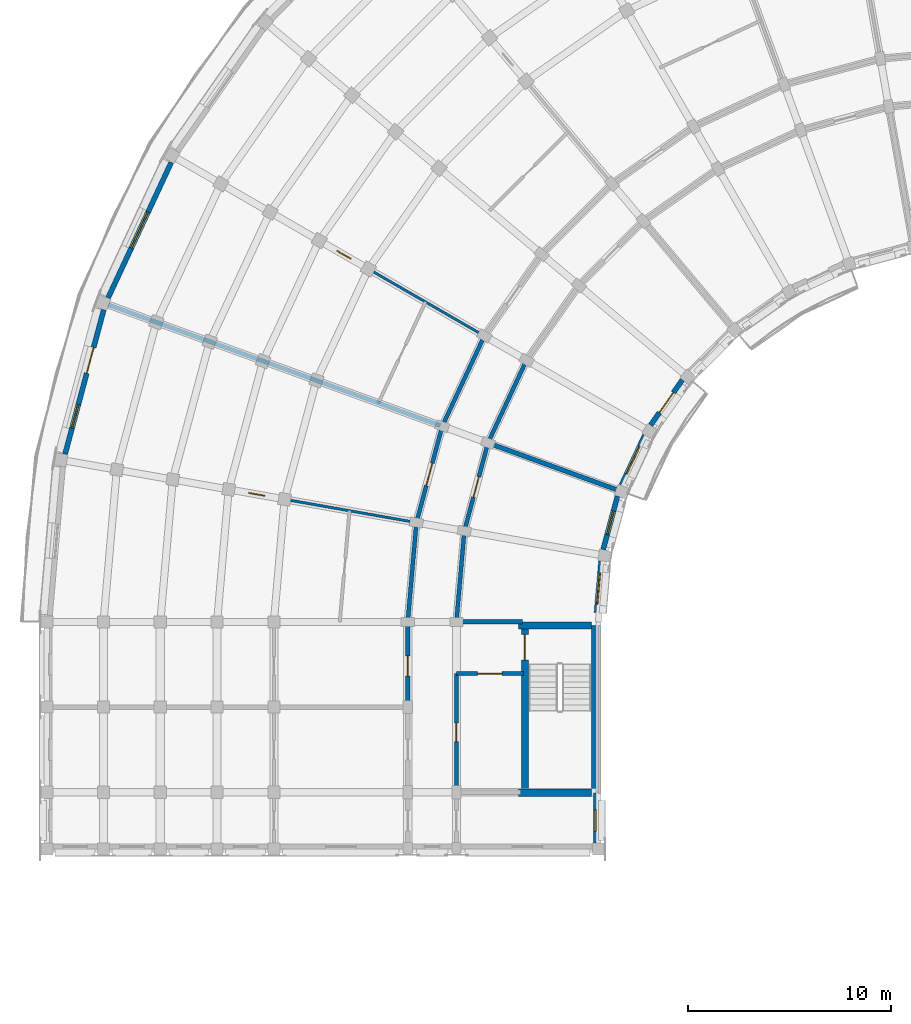
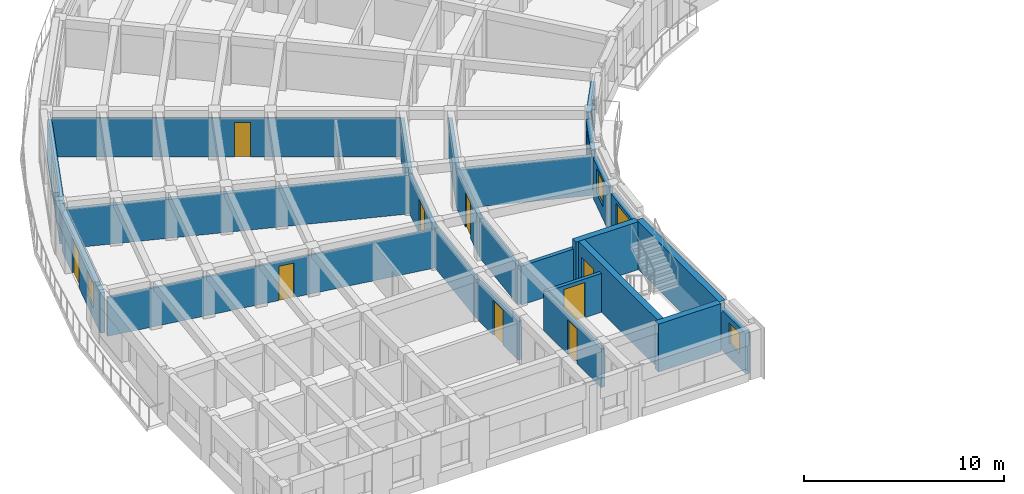
# One storey, part 16 of 41: 25 walls, 10 doors, 6 windows, 16 openings.
"""IFC4 building model written with IfcOpenShell, lengths in metres."""

from ifc_helpers import new_model, si_unit, direction, frame, frame_2d, origin, place, context, subcontext, project, spatial, rectangle, extrude, material, layer, layer_set, type_object, element, fill, save


model = new_model("IFC4")

# Units and contexts
model_context = context("Model", 3, precision=1e-05, world=origin(), true_north=direction((0.0, 1.0)))
body_context = subcontext(model_context, "Body", "Model", "MODEL_VIEW")
ifc_project = project(units=[si_unit("LENGTHUNIT", "METRE"), si_unit("AREAUNIT", "SQUARE_METRE"), si_unit("VOLUMEUNIT", "CUBIC_METRE"), si_unit("PLANEANGLEUNIT", "RADIAN"), si_unit("MASSUNIT", "GRAM", prefix="KILO")], contexts=[model_context])

# Site, building, storey
site_placement = place(None, origin())
site = spatial("IfcSite", under=ifc_project, at=site_placement, CompositionType="ELEMENT")
building_placement = place(site_placement, origin())
building = spatial("IfcBuilding", under=site, at=building_placement, Name="Kiranvali Square Residences", CompositionType="ELEMENT")
storey_placement = place(building_placement, frame((0.0, 0.0, 33.89990234375)))
storey = spatial("IfcBuildingStorey", under=building, at=storey_placement, Name="L10", CompositionType="ELEMENT", Elevation=33.89990234375)

# Wall, opening, door
ifc_material_1 = material(Name="Autoclaved aerated concrete blockwork masonry", Category="masonry")
ifc_layer_1 = layer(ifc_material_1, 0.199951171875)
ifc_layer_set_1 = layer_set([ifc_layer_1], Name="Autoclaved aerated concrete blockwork masonry")
wall_type_1 = type_object("IfcWallType", Name="WL-COR-200", PredefinedType="STANDARD", material=ifc_layer_set_1)
wall_1_placement = place(storey_placement, frame((25.699951171875, 85.25, 0.0), z_axis=(0.0, 0.0, 1.0), x_axis=(-1.0, 0.0, 0.0)))
wall_1 = element("IfcWall", 1, at=wall_1_placement, inside=storey, type_object=wall_type_1, Name="L10 architectural wall WL-L10-A-S3-V", PredefinedType="STANDARD", context=body_context, shape_type="SweptSolid", body=[
    extrude(rectangle(XDim=3.300048828125, YDim=0.199951171875, at=frame_2d((1.64990234375, 0.0))), origin(), (0.0, 0.0, 1.0), 2.3720703125),
])
opening_1_placement = place(wall_1_placement, frame((1.0400390625, 0.0, 0.0)))
opening_1 = element("IfcOpeningElement", 2, at=opening_1_placement, cuts=wall_1, Name="Opening FD-COR-60", PredefinedType="OPENING", context=body_context, shape_type="SweptSolid", body=[
    extrude(rectangle(XDim=1.219970703125, YDim=2.14990234375, at=frame_2d((0.60986328125, 1.074951171875))), frame((0.0, 0.10986328125, 0.0), z_axis=(0.0, -1.0, 0.0), x_axis=(1.0, 0.0, 0.0)), (0.0, 0.0, 1.0), 0.219970703125),
])
ifc_material_2 = material(Name="Fire-rated acoustic hardwood and mineral-core door assembly", Category="wood")
door_type_1 = type_object("IfcDoorType", Name="DR-FD60-1200", OperationType="NOTDEFINED", PredefinedType="DOOR", material=ifc_material_2)
door_1_placement = place(opening_1_placement, origin())
door_1 = element("IfcDoor", 3, at=door_1_placement, inside=storey, type_object=door_type_1, Name="L10 door DR-L10-0635 (DR-FD60-1200)", OperationType="SINGLE_SWING_LEFT", OverallHeight=2.14990234375, OverallWidth=1.219970703125, PredefinedType="DOOR", context=body_context, shape_type="SweptSolid", body=[
    extrude(rectangle(XDim=1.219970703125, YDim=2.14990234375, at=frame_2d((0.60986328125, 1.074951171875))), frame((0.0, 0.02490234375, 0.0), z_axis=(0.0, -1.0, 0.0), x_axis=(1.0, 0.0, 0.0)), (0.0, 0.0, 1.0), 0.050048828125),
])
fill(opening_1, door_1)

wall_2_placement = place(storey_placement, frame((22.39990234375, 85.25, 0.0), z_axis=(0.0, 0.0, 1.0), x_axis=(0.0, -1.0, 0.0)))
wall_2 = element("IfcWall", 4, at=wall_2_placement, inside=storey, type_object=wall_type_1, Name="L10 architectural wall WL-L10-A-S3-COR", PredefinedType="STANDARD", context=body_context, shape_type="SweptSolid", body=[
    extrude(rectangle(XDim=5.800048828125, YDim=0.199951171875, at=frame_2d((2.89990234375, 0.0))), origin(), (0.0, 0.0, 1.0), 2.3720703125),
])
opening_2_placement = place(wall_2_placement, frame((2.43994140625, 0.0, 0.0)))
opening_2 = element("IfcOpeningElement", 5, at=opening_2_placement, cuts=wall_2, Name="Opening FD-SVC-120", PredefinedType="OPENING", context=body_context, shape_type="SweptSolid", body=[
    extrude(rectangle(XDim=0.919921875, YDim=2.10009765625, at=frame_2d((0.4599609375, 1.050048828125))), frame((0.0, 0.10986328125, 0.0), z_axis=(0.0, -1.0, 0.0), x_axis=(1.0, 0.0, 0.0)), (0.0, 0.0, 1.0), 0.219970703125),
])
door_type_2 = type_object("IfcDoorType", Name="DR-SVC-900", OperationType="NOTDEFINED", PredefinedType="DOOR", material=ifc_material_2)
door_2_placement = place(opening_2_placement, frame((0.919921875, 0.0, 0.0), z_axis=(0.0, 0.0, 1.0), x_axis=(-1.0, 0.0, 0.0)))
door_2 = element("IfcDoor", 6, at=door_2_placement, inside=storey, type_object=door_type_2, Name="L10 door DR-L10-0636 (DR-SVC-900)", OperationType="SINGLE_SWING_RIGHT", OverallHeight=2.10009765625, OverallWidth=0.919921875, PredefinedType="DOOR", context=body_context, shape_type="SweptSolid", body=[
    extrude(rectangle(XDim=0.919921875, YDim=2.10009765625, at=frame_2d((0.4599609375, 1.050048828125))), frame((0.0, 0.02490234375, 0.0), z_axis=(0.0, -1.0, 0.0), x_axis=(1.0, 0.0, 0.0)), (0.0, 0.0, 1.0), 0.050048828125),
])
fill(opening_2, door_2)

# Walls
wall_3_placement = place(storey_placement, frame((25.8564453125, 100.699951171875, 0.0), z_axis=(0.0, 0.0, 1.0), x_axis=(-0.422617978463, -0.906307919131, 0.0)))
element("IfcWall", 7, at=wall_3_placement, inside=storey, type_object=wall_type_1, Name="L10 architectural wall WL-L10-A-CCI-6", PredefinedType="STANDARD", context=body_context, shape_type="SweptSolid", body=[
    extrude(rectangle(XDim=4.497314453125, YDim=0.199951171875, at=frame_2d((2.24853515625, 0.0))), origin(), (0.0, 0.0, 1.0), 2.3720703125),
])
wall_4_placement = place(storey_placement, frame((23.778076171875, 101.89990234375, 0.0), z_axis=(0.0, 0.0, 1.0), x_axis=(-0.422629854778, -0.906302381024, 0.0)))
element("IfcWall", 8, at=wall_4_placement, inside=storey, type_object=wall_type_1, Name="L10 architectural wall WL-L10-A-CCO-6", PredefinedType="STANDARD", context=body_context, shape_type="SweptSolid", body=[
    extrude(rectangle(XDim=4.915283203125, YDim=0.199951171875, at=frame_2d((2.45751953125, 0.0))), origin(), (0.0, 0.0, 1.0), 2.3720703125),
])

# Wall, opening, door
wall_5_placement = place(storey_placement, frame((23.955810546875, 96.6240234375, 0.0), z_axis=(0.0, 0.0, 1.0), x_axis=(-0.258787642463, -0.965934240054, 0.0)))
wall_5 = element("IfcWall", 9, at=wall_5_placement, inside=storey, type_object=wall_type_1, Name="L10 architectural wall WL-L10-A-CCI-7", PredefinedType="STANDARD", context=body_context, shape_type="SweptSolid", body=[
    extrude(rectangle(XDim=4.497314453125, YDim=0.199951171875, at=frame_2d((2.24853515625, 0.0))), origin(), (0.0, 0.0, 1.0), 2.3720703125),
])
opening_3_placement = place(wall_5_placement, frame((1.728515625, 0.0, 0.0)))
opening_3 = element("IfcOpeningElement", 10, at=opening_3_placement, cuts=wall_5, Name="Opening FD-APT-60B", PredefinedType="OPENING", context=body_context, shape_type="SweptSolid", body=[
    extrude(rectangle(XDim=1.0400390625, YDim=2.14990234375, at=frame_2d((0.52001953125, 1.074951171875))), frame((0.0, 0.10986328125, 0.0), z_axis=(0.0, -1.0, 0.0), x_axis=(1.0, 0.0, 0.0)), (0.0, 0.0, 1.0), 0.219970703125),
])
door_type_3 = type_object("IfcDoorType", Name="DR-APT-1040", OperationType="NOTDEFINED", PredefinedType="DOOR", material=ifc_material_2)
door_3_placement = place(opening_3_placement, frame((1.0400390625, 0.0, 0.0), z_axis=(0.0, 0.0, 1.0), x_axis=(-1.0, 0.0, 0.0)))
door_3 = element("IfcDoor", 11, at=door_3_placement, inside=storey, type_object=door_type_3, Name="L10 door DR-L10-0670 (DR-APT-1040)", OperationType="SINGLE_SWING_RIGHT", OverallHeight=2.14990234375, OverallWidth=1.0400390625, PredefinedType="DOOR", context=body_context, shape_type="SweptSolid", body=[
    extrude(rectangle(XDim=1.0400390625, YDim=2.14990234375, at=frame_2d((0.52001953125, 1.074951171875))), frame((0.0, 0.02490234375, 0.0), z_axis=(0.0, -1.0, 0.0), x_axis=(1.0, 0.0, 0.0)), (0.0, 0.0, 1.0), 0.050048828125),
])
fill(opening_3, door_3)

wall_6_placement = place(storey_placement, frame((21.70068359375, 97.445068359375, 0.0), z_axis=(0.0, 0.0, 1.0), x_axis=(-0.258803112091, -0.965930095386, 0.0)))
wall_6 = element("IfcWall", 12, at=wall_6_placement, inside=storey, type_object=wall_type_1, Name="L10 architectural wall WL-L10-A-CCO-7", PredefinedType="STANDARD", context=body_context, shape_type="SweptSolid", body=[
    extrude(rectangle(XDim=4.915771484375, YDim=0.199951171875, at=frame_2d((2.4580078125, 0.0))), origin(), (0.0, 0.0, 1.0), 2.3720703125),
])
opening_4_placement = place(wall_6_placement, frame((1.8876953125, 0.0, 0.0)))
opening_4 = element("IfcOpeningElement", 13, at=opening_4_placement, cuts=wall_6, Name="Opening FD-APT-60D", PredefinedType="OPENING", context=body_context, shape_type="SweptSolid", body=[
    extrude(rectangle(XDim=1.139892578125, YDim=2.14990234375, at=frame_2d((0.56982421875, 1.074951171875))), frame((0.0, 0.10986328125, 0.0), z_axis=(0.0, -1.0, 0.0), x_axis=(1.0, 0.0, 0.0)), (0.0, 0.0, 1.0), 0.219970703125),
])
door_type_4 = type_object("IfcDoorType", Name="DR-APT-1140", OperationType="NOTDEFINED", PredefinedType="DOOR", material=ifc_material_2)
door_4_placement = place(opening_4_placement, origin())
door_4 = element("IfcDoor", 14, at=door_4_placement, inside=storey, type_object=door_type_4, Name="L10 door DR-L10-0665 (DR-APT-1140)", OperationType="SINGLE_SWING_LEFT", OverallHeight=2.14990234375, OverallWidth=1.139892578125, PredefinedType="DOOR", context=body_context, shape_type="SweptSolid", body=[
    extrude(rectangle(XDim=1.139892578125, YDim=2.14990234375, at=frame_2d((0.56982421875, 1.074951171875))), frame((0.0, 0.02490234375, 0.0), z_axis=(0.0, -1.0, 0.0), x_axis=(1.0, 0.0, 0.0)), (0.0, 0.0, 1.0), 0.050048828125),
])
fill(opening_4, door_4)

# Walls
wall_7_placement = place(storey_placement, frame((22.7919921875, 92.280029296875, 0.0), z_axis=(0.0, 0.0, 1.0), x_axis=(-0.087187153726, -0.996191949488, 0.0)))
element("IfcWall", 15, at=wall_7_placement, inside=storey, type_object=wall_type_1, Name="L10 architectural wall WL-L10-A-CCI-8", PredefinedType="STANDARD", context=body_context, shape_type="SweptSolid", body=[
    extrude(rectangle(XDim=4.4970703125, YDim=0.199951171875, at=frame_2d((2.24853515625, 0.0))), origin(), (0.0, 0.0, 1.0), 2.3720703125),
])
wall_8_placement = place(storey_placement, frame((20.428466796875, 92.69677734375, 0.0), z_axis=(0.0, 0.0, 1.0), x_axis=(-0.087167566415, -0.996193663584, 0.0)))
element("IfcWall", 16, at=wall_8_placement, inside=storey, type_object=wall_type_1, Name="L10 architectural wall WL-L10-A-CCO-8", PredefinedType="STANDARD", context=body_context, shape_type="SweptSolid", body=[
    extrude(rectangle(XDim=4.91552734375, YDim=0.199951171875, at=frame_2d((2.457763671875, 0.0))), origin(), (0.0, 0.0, 1.0), 2.3720703125),
])

# Wall, opening, door
wall_9_placement = place(storey_placement, frame((20.0, 87.64990234375, 0.0), z_axis=(0.0, 0.0, 1.0), x_axis=(0.0, -1.0, 0.0)))
wall_9 = element("IfcWall", 17, at=wall_9_placement, inside=storey, type_object=wall_type_1, Name="L10 architectural wall WL-L10-A-A2CF-C0", PredefinedType="STANDARD", context=body_context, shape_type="SweptSolid", body=[
    extrude(rectangle(XDim=4.0498046875, YDim=0.199951171875, at=frame_2d((2.02490234375, 0.0))), origin(), (0.0, 0.0, 1.0), 2.3720703125),
])
opening_5_placement = place(wall_9_placement, frame((1.52490234375, 0.0, 0.0)))
opening_5 = element("IfcOpeningElement", 18, at=opening_5_placement, cuts=wall_9, Name="Opening FD-APT-60", PredefinedType="OPENING", context=body_context, shape_type="SweptSolid", body=[
    extrude(rectangle(XDim=1.0, YDim=2.14990234375, at=frame_2d((0.5, 1.074951171875))), frame((0.0, 0.10986328125, 0.0), z_axis=(0.0, -1.0, 0.0), x_axis=(1.0, 0.0, 0.0)), (0.0, 0.0, 1.0), 0.219970703125),
])
door_type_5 = type_object("IfcDoorType", Name="DR-APT-1000", OperationType="NOTDEFINED", PredefinedType="DOOR", material=ifc_material_2)
door_5_placement = place(opening_5_placement, origin())
door_5 = element("IfcDoor", 19, at=door_5_placement, inside=storey, type_object=door_type_5, Name="L10 door DR-L10-0671 (DR-APT-1000)", OperationType="SINGLE_SWING_LEFT", OverallHeight=2.14990234375, OverallWidth=1.0, PredefinedType="DOOR", context=body_context, shape_type="SweptSolid", body=[
    extrude(rectangle(XDim=1.0, YDim=2.14990234375, at=frame_2d((0.5, 1.074951171875))), frame((0.0, 0.02490234375, 0.0), z_axis=(0.0, -1.0, 0.0), x_axis=(1.0, 0.0, 0.0)), (0.0, 0.0, 1.0), 0.050048828125),
])
fill(opening_5, door_5)

# Walls
ifc_layer_2 = layer(ifc_material_1, 0.219970703125)
ifc_layer_set_2 = layer_set([ifc_layer_2], Name="Autoclaved aerated concrete blockwork masonry")
wall_type_2 = type_object("IfcWallType", Name="WL-DEM-220", PredefinedType="STANDARD", material=ifc_layer_set_2)
wall_10_placement = place(storey_placement, frame((30.345947265625, 94.29833984375, 0.0), z_axis=(0.0, 0.0, 1.0), x_axis=(-0.939696231917, 0.342010221662, 0.0)))
element("IfcWall", 20, at=wall_10_placement, inside=storey, type_object=wall_type_2, Name="L10 architectural wall WL-L10-A-RADI-7", PredefinedType="STANDARD", context=body_context, shape_type="SweptSolid", body=[
    extrude(rectangle(XDim=6.75, YDim=0.219970703125, at=frame_2d((3.375, 0.0))), origin(), (0.0, 0.0, 1.0), 2.3720703125),
])
wall_11_placement = place(storey_placement, frame((21.606689453125, 97.479248046875, 0.0), z_axis=(0.0, 0.0, 1.0), x_axis=(-0.939691901159, 0.342022120477, 0.0)))
element("IfcWall", 21, at=wall_11_placement, inside=storey, type_object=wall_type_2, Name="L10 architectural wall WL-L10-A-RADO-7", PredefinedType="STANDARD", context=body_context, shape_type="SweptSolid", body=[
    extrude(rectangle(XDim=17.419921875, YDim=0.219970703125, at=frame_2d((8.7099609375, 0.0))), origin(), (0.0, 0.0, 1.0), 2.3720703125),
])
wall_12_placement = place(storey_placement, frame((25.64990234375, 87.800048828125, 0.0), z_axis=(0.0, 0.0, 1.0), x_axis=(-1.0, 0.0, 0.0)))
element("IfcWall", 22, at=wall_12_placement, inside=storey, type_object=wall_type_2, Name="L10 architectural wall WL-L10-A-RADI-9", PredefinedType="STANDARD", context=body_context, shape_type="SweptSolid", body=[
    extrude(rectangle(XDim=3.199951171875, YDim=0.219970703125, at=frame_2d((1.60009765625, 0.0))), origin(), (0.0, 0.0, 1.0), 2.3720703125),
])

# Wall, opening, window
ifc_material_3 = material(Name="Breathable lime-rendered clay brick masonry", Category="masonry")
ifc_layer_3 = layer(ifc_material_3, 0.25)
ifc_layer_set_3 = layer_set([ifc_layer_3], Name="Breathable lime-rendered clay brick masonry")
wall_type_3 = type_object("IfcWallType", Name="WL-EXT-250", PredefinedType="STANDARD", material=ifc_layer_set_3)
wall_13_placement = place(storey_placement, frame((8.33837890625, 110.4521484375, 0.0), z_axis=(0.0, 0.0, 1.0), x_axis=(-0.422589730823, -0.906321090675, 0.0)))
wall_13 = element("IfcWall", 23, at=wall_13_placement, inside=storey, type_object=wall_type_3, Name="L10 exterior wall A-L10-CRV-06", PredefinedType="STANDARD", context=body_context, shape_type="SweptSolid", body=[
    extrude(rectangle(XDim=7.3671875, YDim=0.25, at=frame_2d((3.68359375, 0.0))), origin(), (0.0, 0.0, 1.0), 2.47216796875),
])
opening_6_placement = place(wall_13_placement, frame((2.70849609375, 0.0, 0.422119140625)))
opening_6 = element("IfcOpeningElement", 24, at=opening_6_placement, cuts=wall_13, Name="Opening W-12", PredefinedType="OPENING", context=body_context, shape_type="SweptSolid", body=[
    extrude(rectangle(XDim=1.949951171875, YDim=1.85009765625, at=frame_2d((0.97509765625, 0.925048828125))), frame((0.0, 0.135009765625, 0.0), z_axis=(0.0, -1.0, 0.0), x_axis=(1.0, 0.0, 0.0)), (0.0, 0.0, 1.0), 0.27001953125),
])
ifc_material_4 = material(Name="Solar-control low-e double glazing", Category="glass")
window_type_1 = type_object("IfcWindowType", Name="WIN-RES-1950x1850", PartitioningType="DOUBLE_PANEL_VERTICAL", PredefinedType="WINDOW", material=ifc_material_4)
window_1_placement = place(opening_6_placement, origin())
window_1 = element("IfcWindow", 25, at=window_1_placement, inside=storey, type_object=window_type_1, Name="L10 recessed window A-L10-CRV-06", OverallHeight=1.85009765625, OverallWidth=1.949951171875, PartitioningType="DOUBLE_PANEL_VERTICAL", PredefinedType="WINDOW", context=body_context, shape_type="SweptSolid", body=[
    extrude(rectangle(XDim=1.949951171875, YDim=1.85009765625, at=frame_2d((0.97509765625, 0.925048828125))), frame((0.0, 0.030029296875, 0.0), z_axis=(0.0, -1.0, 0.0), x_axis=(1.0, 0.0, 0.0)), (0.0, 0.0, 1.0), 0.06005859375),
])
fill(opening_6, window_1)

# Wall, openings, door, window
wall_14_placement = place(storey_placement, frame((5.010498046875, 103.18603515625, 0.0), z_axis=(0.0, 0.0, 1.0), x_axis=(-0.258821669831, -0.965925122991, 0.0)))
wall_14 = element("IfcWall", 26, at=wall_14_placement, inside=storey, type_object=wall_type_3, Name="L10 exterior wall A-L10-CRV-07", PredefinedType="STANDARD", context=body_context, shape_type="SweptSolid", body=[
    extrude(rectangle(XDim=7.366943359375, YDim=0.25, at=frame_2d((3.68359375, 0.0))), origin(), (0.0, 0.0, 1.0), 2.47216796875),
])
opening_7_placement = place(wall_14_placement, frame((4.83984375, 0.0, 0.6220703125)))
opening_7 = element("IfcOpeningElement", 27, at=opening_7_placement, cuts=wall_14, Name="Opening W-06", PredefinedType="OPENING", context=body_context, shape_type="SweptSolid", body=[
    extrude(rectangle(XDim=1.199951171875, YDim=1.5, at=frame_2d((0.60009765625, 0.75))), frame((0.0, 0.135009765625, 0.0), z_axis=(0.0, -1.0, 0.0), x_axis=(1.0, 0.0, 0.0)), (0.0, 0.0, 1.0), 0.27001953125),
])
opening_8_placement = place(wall_14_placement, frame((1.91845703125, 0.0, 0.0)))
opening_8 = element("IfcOpeningElement", 28, at=opening_8_placement, cuts=wall_14, Name="Opening ED-BAL-3", PredefinedType="OPENING", context=body_context, shape_type="SweptSolid", body=[
    extrude(rectangle(XDim=1.320068359375, YDim=2.14990234375, at=frame_2d((0.66015625, 1.074951171875))), frame((0.0, 0.135009765625, 0.0), z_axis=(0.0, -1.0, 0.0), x_axis=(1.0, 0.0, 0.0)), (0.0, 0.0, 1.0), 0.27001953125),
])
ifc_material_5 = material(Name="Anodised bronze aluminium framing", Category="aluminium")
door_type_6 = type_object("IfcDoorType", Name="DR-BAL-1320", OperationType="NOTDEFINED", PredefinedType="DOOR", material=ifc_material_5)
door_6_placement = place(opening_8_placement, frame((1.320068359375, 0.0, 0.0), z_axis=(0.0, 0.0, 1.0), x_axis=(-1.0, 0.0, 0.0)))
door_6 = element("IfcDoor", 29, at=door_6_placement, inside=storey, type_object=door_type_6, Name="L10 balcony terrace door", OperationType="SINGLE_SWING_RIGHT", OverallHeight=2.14990234375, OverallWidth=1.320068359375, PredefinedType="DOOR", context=body_context, shape_type="SweptSolid", body=[
    extrude(rectangle(XDim=1.320068359375, YDim=2.14990234375, at=frame_2d((0.66015625, 1.074951171875))), frame((0.0, 0.02490234375, 0.0), z_axis=(0.0, -1.0, 0.0), x_axis=(1.0, 0.0, 0.0)), (0.0, 0.0, 1.0), 0.050048828125),
])
fill(opening_8, door_6)
window_type_2 = type_object("IfcWindowType", Name="WIN-RES-1200x1500", PartitioningType="SINGLE_PANEL", PredefinedType="WINDOW", material=ifc_material_4)
window_2_placement = place(opening_7_placement, origin())
window_2 = element("IfcWindow", 30, at=window_2_placement, inside=storey, type_object=window_type_2, Name="L10 recessed window A-L10-CRV-07", OverallHeight=1.5, OverallWidth=1.199951171875, PartitioningType="SINGLE_PANEL", PredefinedType="WINDOW", context=body_context, shape_type="SweptSolid", body=[
    extrude(rectangle(XDim=1.199951171875, YDim=1.5, at=frame_2d((0.60009765625, 0.75))), frame((0.0, 0.030029296875, 0.0), z_axis=(0.0, -1.0, 0.0), x_axis=(1.0, 0.0, 0.0)), (0.0, 0.0, 1.0), 0.06005859375),
])
fill(opening_7, window_2)

# Wall, opening, door
wall_15_placement = place(storey_placement, frame((33.5361328125, 99.727783203125, 0.0), z_axis=(0.0, 0.0, 1.0), x_axis=(-0.573612950921, -0.819126475299, 0.0)))
wall_15 = element("IfcWall", 31, at=wall_15_placement, inside=storey, type_object=wall_type_3, Name="L10 exterior wall A-L10-GDN-05", PredefinedType="STANDARD", context=body_context, shape_type="SweptSolid", body=[
    extrude(rectangle(XDim=2.7197265625, YDim=0.25, at=frame_2d((1.35986328125, 0.0))), origin(), (0.0, 0.0, 1.0), 2.47216796875),
])
opening_9_placement = place(wall_15_placement, frame((0.759765625, 0.0, 0.0)))
opening_9 = element("IfcOpeningElement", 32, at=opening_9_placement, cuts=wall_15, Name="Opening ED-BAL-1", PredefinedType="OPENING", context=body_context, shape_type="SweptSolid", body=[
    extrude(rectangle(XDim=1.199951171875, YDim=2.14990234375, at=frame_2d((0.60009765625, 1.074951171875))), frame((0.0, 0.135009765625, 0.0), z_axis=(0.0, -1.0, 0.0), x_axis=(1.0, 0.0, 0.0)), (0.0, 0.0, 1.0), 0.27001953125),
])
door_type_7 = type_object("IfcDoorType", Name="DR-BAL-1200", OperationType="NOTDEFINED", PredefinedType="DOOR", material=ifc_material_5)
door_7_placement = place(opening_9_placement, origin())
door_7 = element("IfcDoor", 33, at=door_7_placement, inside=storey, type_object=door_type_7, Name="L10 balcony terrace door", OperationType="SINGLE_SWING_RIGHT", OverallHeight=2.14990234375, OverallWidth=1.199951171875, PredefinedType="DOOR", context=body_context, shape_type="SweptSolid", body=[
    extrude(rectangle(XDim=1.199951171875, YDim=2.14990234375, at=frame_2d((0.60009765625, 1.074951171875))), frame((0.0, 0.02490234375, 0.0), z_axis=(0.0, -1.0, 0.0), x_axis=(1.0, 0.0, 0.0)), (0.0, 0.0, 1.0), 0.050048828125),
])
fill(opening_9, door_7)

# Wall, opening, window
wall_16_placement = place(storey_placement, frame((31.687744140625, 97.000244140625, 0.0), z_axis=(0.0, 0.0, 1.0), x_axis=(-0.422629903269, -0.906302358412, 0.0)))
wall_16 = element("IfcWall", 34, at=wall_16_placement, inside=storey, type_object=wall_type_3, Name="L10 exterior wall A-L10-GDN-06", PredefinedType="STANDARD", context=body_context, shape_type="SweptSolid", body=[
    extrude(rectangle(XDim=2.7197265625, YDim=0.25, at=frame_2d((1.35986328125, 0.0))), origin(), (0.0, 0.0, 1.0), 2.47216796875),
])
opening_10_placement = place(wall_16_placement, frame((0.60986328125, 0.0, 0.6220703125)))
opening_10 = element("IfcOpeningElement", 35, at=opening_10_placement, cuts=wall_16, Name="Opening W-05", PredefinedType="OPENING", context=body_context, shape_type="SweptSolid", body=[
    extrude(rectangle(XDim=1.5, YDim=1.64990234375, at=frame_2d((0.75, 0.824951171875))), frame((0.0, 0.135009765625, 0.0), z_axis=(0.0, -1.0, 0.0), x_axis=(1.0, 0.0, 0.0)), (0.0, 0.0, 1.0), 0.27001953125),
])
window_type_3 = type_object("IfcWindowType", Name="WIN-RES-1500x1650", PartitioningType="DOUBLE_PANEL_VERTICAL", PredefinedType="WINDOW", material=ifc_material_4)
window_3_placement = place(opening_10_placement, origin())
window_3 = element("IfcWindow", 36, at=window_3_placement, inside=storey, type_object=window_type_3, Name="L10 recessed window A-L10-GDN-06", OverallHeight=1.64990234375, OverallWidth=1.5, PartitioningType="DOUBLE_PANEL_VERTICAL", PredefinedType="WINDOW", context=body_context, shape_type="SweptSolid", body=[
    extrude(rectangle(XDim=1.5, YDim=1.64990234375, at=frame_2d((0.75, 0.824951171875))), frame((0.0, 0.030029296875, 0.0), z_axis=(0.0, -1.0, 0.0), x_axis=(1.0, 0.0, 0.0)), (0.0, 0.0, 1.0), 0.06005859375),
])
fill(opening_10, window_3)

wall_17_placement = place(storey_placement, frame((30.3408203125, 93.9931640625, 0.0), z_axis=(0.0, 0.0, 1.0), x_axis=(-0.258807879411, -0.965928818058, 0.0)))
wall_17 = element("IfcWall", 37, at=wall_17_placement, inside=storey, type_object=wall_type_3, Name="L10 exterior wall A-L10-GDN-07", PredefinedType="STANDARD", context=body_context, shape_type="SweptSolid", body=[
    extrude(rectangle(XDim=2.7197265625, YDim=0.25, at=frame_2d((1.35986328125, 0.0))), origin(), (0.0, 0.0, 1.0), 2.47216796875),
])
opening_11_placement = place(wall_17_placement, frame((0.759765625, 0.0, 0.77197265625)))
opening_11 = element("IfcOpeningElement", 38, at=opening_11_placement, cuts=wall_17, Name="Opening W-06", PredefinedType="OPENING", context=body_context, shape_type="SweptSolid", body=[
    extrude(rectangle(XDim=1.199951171875, YDim=1.5, at=frame_2d((0.60009765625, 0.75))), frame((0.0, 0.135009765625, 0.0), z_axis=(0.0, -1.0, 0.0), x_axis=(1.0, 0.0, 0.0)), (0.0, 0.0, 1.0), 0.27001953125),
])
window_4_placement = place(opening_11_placement, origin())
window_4 = element("IfcWindow", 39, at=window_4_placement, inside=storey, type_object=window_type_2, Name="L10 recessed window A-L10-GDN-07", OverallHeight=1.5, OverallWidth=1.199951171875, PartitioningType="SINGLE_PANEL", PredefinedType="WINDOW", context=body_context, shape_type="SweptSolid", body=[
    extrude(rectangle(XDim=1.199951171875, YDim=1.5, at=frame_2d((0.60009765625, 0.75))), frame((0.0, 0.030029296875, 0.0), z_axis=(0.0, -1.0, 0.0), x_axis=(1.0, 0.0, 0.0)), (0.0, 0.0, 1.0), 0.06005859375),
])
fill(opening_11, window_4)

wall_18_placement = place(storey_placement, frame((29.536865234375, 90.7978515625, 0.0), z_axis=(0.0, 0.0, 1.0), x_axis=(-0.087222589008, -0.996188847542, 0.0)))
wall_18 = element("IfcWall", 40, at=wall_18_placement, inside=storey, type_object=wall_type_3, Name="L10 exterior wall A-L10-GDN-08", PredefinedType="STANDARD", context=body_context, shape_type="SweptSolid", body=[
    extrude(rectangle(XDim=2.558349609375, YDim=0.25, at=frame_2d((1.279296875, 0.0))), origin(), (0.0, 0.0, 1.0), 2.47216796875),
])
opening_12_placement = place(wall_18_placement, frame((0.5849609375, 0.0, 0.672119140625)))
opening_12 = element("IfcOpeningElement", 41, at=opening_12_placement, cuts=wall_18, Name="Opening W-18", PredefinedType="OPENING", context=body_context, shape_type="SweptSolid", body=[
    extrude(rectangle(XDim=1.550048828125, YDim=1.60009765625, at=frame_2d((0.77490234375, 0.800048828125))), frame((0.0, 0.135009765625, 0.0), z_axis=(0.0, -1.0, 0.0), x_axis=(1.0, 0.0, 0.0)), (0.0, 0.0, 1.0), 0.27001953125),
])
window_type_4 = type_object("IfcWindowType", Name="WIN-GDN-1550x1600", PartitioningType="DOUBLE_PANEL_VERTICAL", PredefinedType="WINDOW", material=ifc_material_4)
window_5_placement = place(opening_12_placement, origin())
window_5 = element("IfcWindow", 42, at=window_5_placement, inside=storey, type_object=window_type_4, Name="L10 recessed window A-L10-GDN-08", OverallHeight=1.60009765625, OverallWidth=1.550048828125, PartitioningType="DOUBLE_PANEL_VERTICAL", PredefinedType="WINDOW", context=body_context, shape_type="SweptSolid", body=[
    extrude(rectangle(XDim=1.550048828125, YDim=1.60009765625, at=frame_2d((0.77490234375, 0.800048828125))), frame((0.0, 0.030029296875, 0.0), z_axis=(0.0, -1.0, 0.0), x_axis=(1.0, 0.0, 0.0)), (0.0, 0.0, 1.0), 0.06005859375),
])
fill(opening_12, window_5)

wall_19_placement = place(storey_placement, frame((29.27490234375, 79.37158203125, 0.0), z_axis=(0.0, 0.0, 1.0), x_axis=(0.0, -1.0, 0.0)))
wall_19 = element("IfcWall", 43, at=wall_19_placement, inside=storey, type_object=wall_type_3, Name="L10 exterior wall A-L10-A2I-0", PredefinedType="STANDARD", context=body_context, shape_type="SweptSolid", body=[
    extrude(rectangle(XDim=2.468017578125, YDim=0.25, at=frame_2d((1.23388671875, 0.0))), origin(), (0.0, 0.0, 1.0), 2.47216796875),
])
opening_13_placement = place(wall_19_placement, frame((0.846435546875, 0.0, 0.8798828125)))
opening_13 = element("IfcOpeningElement", 44, at=opening_13_placement, cuts=wall_19, Name="Opening W-24", PredefinedType="OPENING", context=body_context, shape_type="SweptSolid", body=[
    extrude(rectangle(XDim=1.050048828125, YDim=1.25, at=frame_2d((0.52490234375, 0.625))), frame((0.0, 0.135009765625, 0.0), z_axis=(0.0, -1.0, 0.0), x_axis=(1.0, 0.0, 0.0)), (0.0, 0.0, 1.0), 0.27001953125),
])
window_type_5 = type_object("IfcWindowType", Name="WIN-COR-1050x1250", PartitioningType="SINGLE_PANEL", PredefinedType="WINDOW", material=ifc_material_4)
window_6_placement = place(opening_13_placement, origin())
window_6 = element("IfcWindow", 45, at=window_6_placement, inside=storey, type_object=window_type_5, Name="L10 recessed window A-L10-A2I-0", OverallHeight=1.25, OverallWidth=1.050048828125, PartitioningType="SINGLE_PANEL", PredefinedType="WINDOW", context=body_context, shape_type="SweptSolid", body=[
    extrude(rectangle(XDim=1.050048828125, YDim=1.25, at=frame_2d((0.52490234375, 0.625))), frame((0.0, 0.030029296875, 0.0), z_axis=(0.0, -1.0, 0.0), x_axis=(1.0, 0.0, 0.0)), (0.0, 0.0, 1.0), 0.06005859375),
])
fill(opening_13, window_6)

# Wall, opening, door
ifc_material_6 = material(Name="Acoustic gypsum board drylined partition", Category="gypsum")
ifc_layer_4 = layer(ifc_material_6, 0.125)
ifc_layer_set_4 = layer_set([ifc_layer_4], Name="Acoustic gypsum board drylined partition")
wall_type_4 = type_object("IfcWallType", Name="WL-PRT-125", PredefinedType="PARTITIONING", material=ifc_layer_set_4)
wall_20_placement = place(storey_placement, frame((23.69140625, 101.949951171875, 0.0), z_axis=(0.0, 0.0, 1.0), x_axis=(-0.866026648973, 0.499997843263, 0.0)))
wall_20 = element("IfcWall", 46, at=wall_20_placement, inside=storey, type_object=wall_type_4, Name="L10 architectural wall WL-L10-A-RADO-6", PredefinedType="PARTITIONING", context=body_context, shape_type="SweptSolid", body=[
    extrude(rectangle(XDim=17.419921875, YDim=0.125, at=frame_2d((8.7099609375, 0.0))), origin(), (0.0, 0.0, 1.0), 2.3720703125),
])
opening_14_placement = place(wall_20_placement, frame((7.5, 0.0, 0.0)))
opening_14 = element("IfcOpeningElement", 47, at=opening_14_placement, cuts=wall_20, Name="Opening ID-WET", PredefinedType="OPENING", context=body_context, shape_type="SweptSolid", body=[
    extrude(rectangle(XDim=0.800048828125, YDim=2.10009765625, at=frame_2d((0.39990234375, 1.050048828125))), frame((0.0, 0.072509765625, 0.0), z_axis=(0.0, -1.0, 0.0), x_axis=(1.0, 0.0, 0.0)), (0.0, 0.0, 1.0), 0.14501953125),
])
ifc_material_7 = material(Name="Solid seasoned teak hardwood joinery", Category="wood")
door_type_8 = type_object("IfcDoorType", Name="DR-WET-800", OperationType="NOTDEFINED", PredefinedType="DOOR", material=ifc_material_7)
door_8_placement = place(opening_14_placement, origin())
door_8 = element("IfcDoor", 48, at=door_8_placement, inside=storey, type_object=door_type_8, Name="L10 door DR-L10-0657 (DR-WET-800)", OperationType="SINGLE_SWING_LEFT", OverallHeight=2.10009765625, OverallWidth=0.800048828125, PredefinedType="DOOR", context=body_context, shape_type="SweptSolid", body=[
    extrude(rectangle(XDim=0.800048828125, YDim=2.10009765625, at=frame_2d((0.39990234375, 1.050048828125))), frame((0.0, 0.02490234375, 0.0), z_axis=(0.0, -1.0, 0.0), x_axis=(1.0, 0.0, 0.0)), (0.0, 0.0, 1.0), 0.050048828125),
])
fill(opening_14, door_8)

wall_21_placement = place(storey_placement, frame((20.329833984375, 92.71435546875, 0.0), z_axis=(0.0, 0.0, 1.0), x_axis=(-0.984808098809, 0.173646216546, 0.0)))
wall_21 = element("IfcWall", 49, at=wall_21_placement, inside=storey, type_object=wall_type_4, Name="L10 architectural wall WL-L10-A-RADO-8", PredefinedType="PARTITIONING", context=body_context, shape_type="SweptSolid", body=[
    extrude(rectangle(XDim=17.419921875, YDim=0.125, at=frame_2d((8.7099609375, 0.0))), origin(), (0.0, 0.0, 1.0), 2.3720703125),
])
opening_15_placement = place(wall_21_placement, frame((7.5, 0.0, 0.0)))
opening_15 = element("IfcOpeningElement", 50, at=opening_15_placement, cuts=wall_21, Name="Opening ID-WET", PredefinedType="OPENING", context=body_context, shape_type="SweptSolid", body=[
    extrude(rectangle(XDim=0.800048828125, YDim=2.10009765625, at=frame_2d((0.39990234375, 1.050048828125))), frame((0.0, 0.072509765625, 0.0), z_axis=(0.0, -1.0, 0.0), x_axis=(1.0, 0.0, 0.0)), (0.0, 0.0, 1.0), 0.14501953125),
])
door_9_placement = place(opening_15_placement, frame((0.800048828125, 0.0, 0.0), z_axis=(0.0, 0.0, 1.0), x_axis=(-1.0, 0.0, 0.0)))
door_9 = element("IfcDoor", 51, at=door_9_placement, inside=storey, type_object=door_type_8, Name="L10 door DR-L10-0658 (DR-WET-800)", OperationType="SINGLE_SWING_RIGHT", OverallHeight=2.10009765625, OverallWidth=0.800048828125, PredefinedType="DOOR", context=body_context, shape_type="SweptSolid", body=[
    extrude(rectangle(XDim=0.800048828125, YDim=2.10009765625, at=frame_2d((0.39990234375, 1.050048828125))), frame((0.0, 0.02490234375, 0.0), z_axis=(0.0, -1.0, 0.0), x_axis=(1.0, 0.0, 0.0)), (0.0, 0.0, 1.0), 0.050048828125),
])
fill(opening_15, door_9)

# Wall
ifc_material_8 = material(Name="Concrete M45 (45 MPa)", Category="concrete")
ifc_layer_5 = layer(ifc_material_8, 0.320068359375)
ifc_layer_set_5 = layer_set([ifc_layer_5], Name="Concrete M45 (45 MPa)")
wall_type_5 = type_object("IfcWallType", Name="WL-SHR-320", PredefinedType="SHEAR", material=ifc_layer_set_5)
wall_22_placement = place(storey_placement, frame((29.22509765625, 87.625, 0.0), z_axis=(0.0, 0.0, 1.0), x_axis=(0.0, -1.0, 0.0)))
element("IfcWall", 52, at=wall_22_placement, inside=storey, type_object=wall_type_5, Name="Block A core shear wall SW-A3-OUT-L10", PredefinedType="SHEAR", context=body_context, shape_type="SweptSolid", body=[
    extrude(rectangle(XDim=8.25, YDim=0.35009765625, at=frame_2d((4.125, 0.0))), origin(), (0.0, 0.0, 1.0), 2.93017578125),
])

# Wall, opening, door
wall_23_placement = place(storey_placement, frame((25.77490234375, 87.449951171875, 0.0), z_axis=(0.0, 0.0, 1.0), x_axis=(0.0, -1.0, 0.0)))
wall_23 = element("IfcWall", 53, at=wall_23_placement, inside=storey, type_object=wall_type_5, Name="Block A core shear wall SW-A3-IN-L10", PredefinedType="SHEAR", context=body_context, shape_type="SweptSolid", body=[
    extrude(rectangle(XDim=7.89990234375, YDim=0.35009765625, at=frame_2d((3.949951171875, 0.0))), origin(), (0.0, 0.0, 1.0), 2.93017578125),
])
opening_16_placement = place(wall_23_placement, frame((0.280029296875, 0.0, 0.0)))
opening_16 = element("IfcOpeningElement", 54, at=opening_16_placement, cuts=wall_23, Name="Opening FD-ST-120", PredefinedType="OPENING", context=body_context, shape_type="SweptSolid", body=[
    extrude(rectangle(XDim=1.239990234375, YDim=2.14990234375, at=frame_2d((0.6201171875, 1.074951171875))), frame((0.0, 0.18505859375, 0.0), z_axis=(0.0, -1.0, 0.0), x_axis=(1.0, 0.0, 0.0)), (0.0, 0.0, 1.0), 0.3701171875),
])
door_type_9 = type_object("IfcDoorType", Name="DR-FD120-1200", OperationType="NOTDEFINED", PredefinedType="DOOR", material=ifc_material_2)
door_10_placement = place(opening_16_placement, origin())
door_10 = element("IfcDoor", 55, at=door_10_placement, inside=storey, type_object=door_type_9, Name="L10 door DR-L10-0631 (DR-FD120-1200)", OperationType="SINGLE_SWING_LEFT", OverallHeight=2.14990234375, OverallWidth=1.239990234375, PredefinedType="DOOR", context=body_context, shape_type="SweptSolid", body=[
    extrude(rectangle(XDim=1.239990234375, YDim=2.14990234375, at=frame_2d((0.6201171875, 1.074951171875))), frame((0.0, 0.02490234375, 0.0), z_axis=(0.0, -1.0, 0.0), x_axis=(1.0, 0.0, 0.0)), (0.0, 0.0, 1.0), 0.050048828125),
])
fill(opening_16, door_10)

# Walls
for number, where, z_axis, x_axis, name in (
    (56, (29.050048828125, 87.625, 0.0), (0.0, 0.0, 1.0), (-1.0, 0.0, 0.0), "Block A core shear wall SW-A3-NEAR-L10"),
    (57, (29.050048828125, 79.375, 0.0), (0.0, 0.0, 1.0), (-1.0, 0.0, 0.0), "Block A core shear wall SW-A3-FAR-L10"),
):
    element("IfcWall", number, at=place(storey_placement, frame(where, z_axis=z_axis, x_axis=x_axis)), inside=storey, type_object=wall_type_5, Name=name, PredefinedType="SHEAR", context=body_context, shape_type="SweptSolid", body=[
        extrude(rectangle(XDim=3.60009765625, YDim=0.35009765625, at=frame_2d((1.800048828125, 0.0))), origin(), (0.0, 0.0, 1.0), 2.93017578125),
    ])

save(model, "model.ifc")
